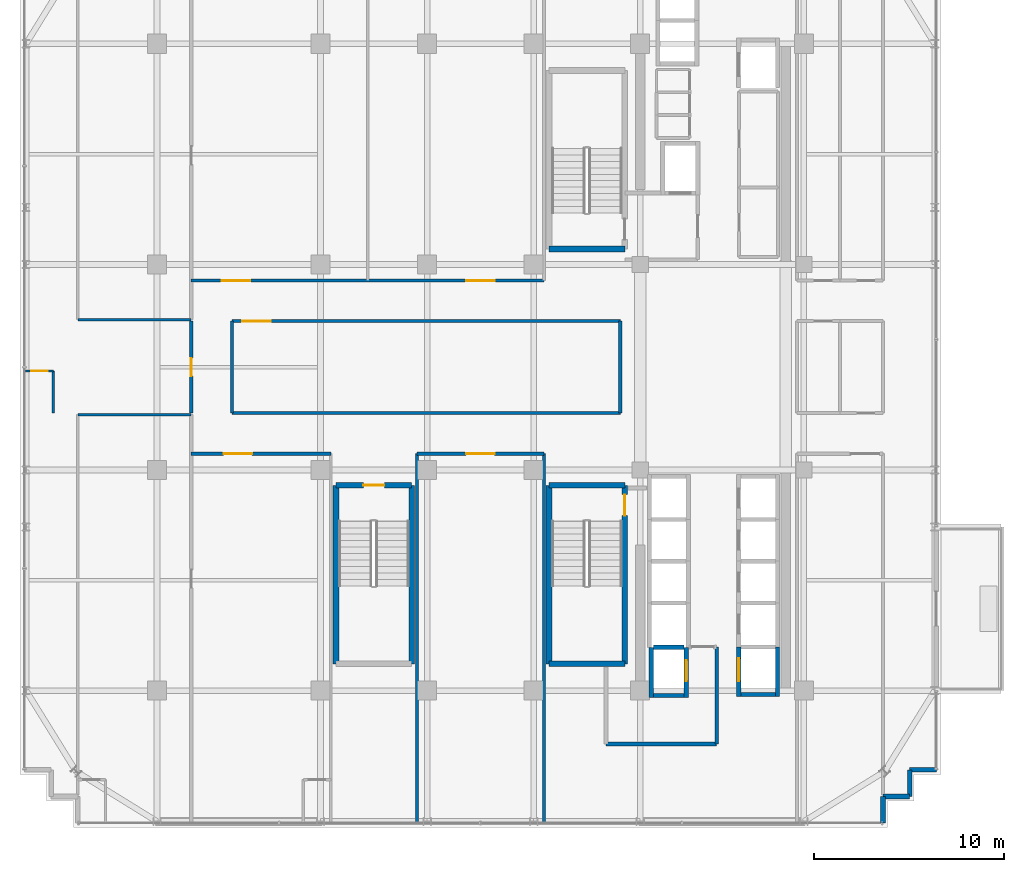
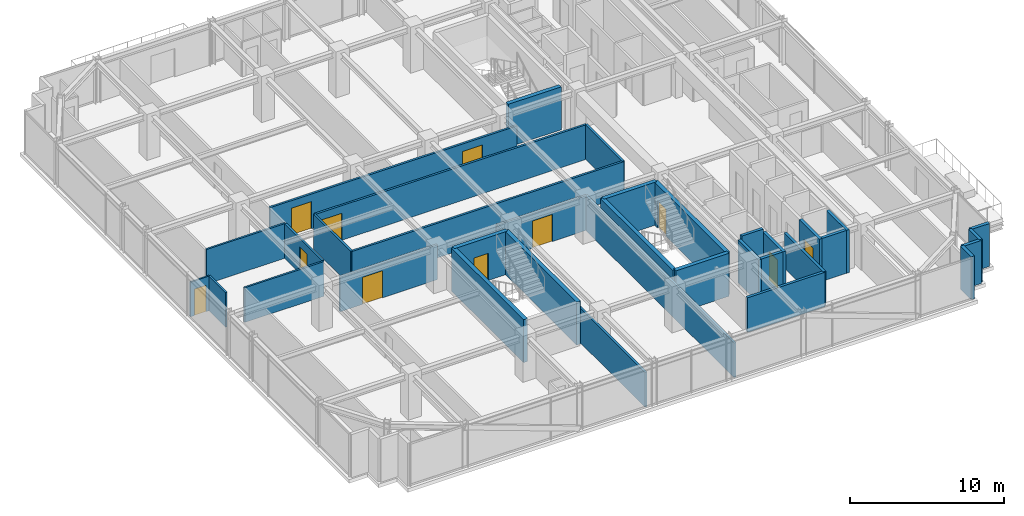
# One storey, part 30 of 36: 35 walls, 11 doors, 11 openings.
"""IFC4 building model written with IfcOpenShell, lengths in metres."""

from ifc_helpers import new_model, si_unit, direction, frame, frame_2d, origin, place, context, subcontext, project, spatial, rectangle, extrude, source, transform, mapped, material, layer, layer_set, type_object, element, fill, save


model = new_model("IFC4")

# Units and contexts
model_context = context("Model", 3, precision=1e-05, world=origin(), true_north=direction((0.0, 1.0)))
body_context = subcontext(model_context, "Body", "Model", "MODEL_VIEW")
ifc_project = project(units=[si_unit("LENGTHUNIT", "METRE"), si_unit("AREAUNIT", "SQUARE_METRE"), si_unit("VOLUMEUNIT", "CUBIC_METRE"), si_unit("PLANEANGLEUNIT", "RADIAN"), si_unit("MASSUNIT", "GRAM", prefix="KILO")], contexts=[model_context])

# Site, building, storey
site_placement = place(None, origin())
site = spatial("IfcSite", under=ifc_project, at=site_placement, CompositionType="ELEMENT")
building_placement = place(site_placement, origin())
building = spatial("IfcBuilding", under=site, at=building_placement, Name="Nahalor Promenade Grand Hotel", CompositionType="ELEMENT")
storey_placement = place(building_placement, frame((0.0, 0.0, 234.5)))
storey = spatial("IfcBuildingStorey", under=building, at=storey_placement, Name="L60", CompositionType="ELEMENT", Elevation=234.5)

# Walls
ifc_material_1 = material(Name="Concrete B-50 (C40/50)", Category="concrete")
ifc_layer_1 = layer(ifc_material_1, 0.300048828125)
ifc_layer_set_1 = layer_set([ifc_layer_1], Name="Concrete B-50 (C40/50)")
wall_type_1 = type_object("IfcWallType", Name="Wall-ShaftShear-300", PredefinedType="SHEAR", material=ifc_layer_set_1)
shared_shape_1 = source(origin(), body_context, "Body", "SweptSolid", [
    extrude(rectangle(XDim=3.97998046875, YDim=0.300048828125, at=frame_2d((1.989990234375, 0.0))), origin(), (0.0, 0.0, 1.0), 3.409912109375),
])
for number, where, z_axis, x_axis, name in (
    (1, (3.610107421875, 6.2099609375, 0.0), (0.0, 0.0, 1.0), (1.0, 0.0, 0.0), "L60 Exit Stair ST1 Shaft Wall S"),
    (2, (3.610107421875, -15.590087890625, 0.0), (0.0, 0.0, 1.0), (1.0, 0.0, 0.0), "L60 Exit Stair ST2 Shaft Wall S"),
    (3, (3.610107421875, -6.2099609375, 0.0), (0.0, 0.0, 1.0), (1.0, 0.0, 0.0), "L60 Exit Stair ST2 Shaft Wall N"),
):
    element("IfcWall", number, at=place(storey_placement, frame(where, z_axis=z_axis, x_axis=x_axis)), inside=storey, type_object=wall_type_1, Name=name, PredefinedType="SHEAR", context=body_context, shape_type="MappedRepresentation", body=[
        mapped(shared_shape_1, transform((0.0, 0.0, 0.0), scale=1.0)),
    ])

# Wall, opening, door
wall_1_placement = place(storey_placement, frame((-7.590087890625, -6.2099609375, 0.0), z_axis=(0.0, 0.0, 1.0), x_axis=(1.0, 0.0, 0.0)))
wall_1 = element("IfcWall", 4, at=wall_1_placement, inside=storey, type_object=wall_type_1, Name="L60 Exit Stair ST3 Shaft Wall N", PredefinedType="SHEAR", context=body_context, shape_type="MappedRepresentation", body=[
    mapped(shared_shape_1, transform((0.0, 0.0, 0.0), scale=1.0)),
])
opening_1_placement = place(wall_1_placement, frame((1.43994140625, 0.0, 0.0)))
opening_1 = element("IfcOpeningElement", 5, at=opening_1_placement, cuts=wall_1, Name="Opening D-ST1", PredefinedType="OPENING", context=body_context, shape_type="SweptSolid", body=[
    extrude(rectangle(XDim=1.10009765625, YDim=2.14990234375, at=frame_2d((0.550048828125, 1.074951171875))), frame((0.0, 0.159912109375, 0.0), z_axis=(0.0, -1.0, 0.0), x_axis=(1.0, 0.0, 0.0)), (0.0, 0.0, 1.0), 0.320068359375),
])
ifc_material_2 = material(Name="Steel S355JR", Category="steel")
door_type_1 = type_object("IfcDoorType", Name="Door-StairFire-1100", OperationType="NOTDEFINED", PredefinedType="DOOR", material=ifc_material_2)
shared_shape_2 = source(origin(), body_context, "Body", "SweptSolid", [
    extrude(rectangle(XDim=1.10009765625, YDim=2.14990234375, at=frame_2d((0.550048828125, 1.074951171875))), frame((0.0, 0.02490234375, 0.0), z_axis=(0.0, -1.0, 0.0), x_axis=(1.0, 0.0, 0.0)), (0.0, 0.0, 1.0), 0.050048828125),
])
door_1_placement = place(opening_1_placement, frame((1.10009765625, 0.0, 0.0), z_axis=(0.0, 0.0, 1.0), x_axis=(-1.0, 0.0, 0.0)))
door_1 = element("IfcDoor", 6, at=door_1_placement, inside=storey, type_object=door_type_1, Name="DR-STAIR-ST3-L60", OperationType="SINGLE_SWING_LEFT", OverallHeight=2.14990234375, OverallWidth=1.10009765625, PredefinedType="DOOR", context=body_context, shape_type="MappedRepresentation", body=[
    mapped(shared_shape_2, transform((0.0, 0.0, 0.0), scale=1.0)),
])
fill(opening_1, door_1)

# Wall
shared_shape_3 = source(origin(), body_context, "Body", "SweptSolid", [
    extrude(rectangle(XDim=9.380126953125, YDim=0.300048828125, at=frame_2d((4.68994140625, 0.0))), origin(), (0.0, 0.0, 1.0), 3.409912109375),
])
wall_2_placement = place(storey_placement, frame((3.610107421875, -15.590087890625, 0.0), z_axis=(0.0, 0.0, 1.0), x_axis=(0.0, 1.0, 0.0)))
element("IfcWall", 7, at=wall_2_placement, inside=storey, type_object=wall_type_1, Name="L60 Exit Stair ST2 Shaft Wall W", PredefinedType="SHEAR", context=body_context, shape_type="MappedRepresentation", body=[
    mapped(shared_shape_3, transform((0.0, 0.0, 0.0), scale=1.0)),
])

# Wall, opening, door
wall_3_placement = place(storey_placement, frame((7.590087890625, -15.590087890625, 0.0), z_axis=(0.0, 0.0, 1.0), x_axis=(0.0, 1.0, 0.0)))
wall_3 = element("IfcWall", 8, at=wall_3_placement, inside=storey, type_object=wall_type_1, Name="L60 Exit Stair ST2 Shaft Wall E", PredefinedType="SHEAR", context=body_context, shape_type="MappedRepresentation", body=[
    mapped(shared_shape_3, transform((0.0, 0.0, 0.0), scale=1.0)),
])
opening_2_placement = place(wall_3_placement, frame((7.7900390625, 0.0, 0.0)))
opening_2 = element("IfcOpeningElement", 9, at=opening_2_placement, cuts=wall_3, Name="Opening D-ST1", PredefinedType="OPENING", context=body_context, shape_type="SweptSolid", body=[
    extrude(rectangle(XDim=1.10009765625, YDim=2.14990234375, at=frame_2d((0.550048828125, 1.074951171875))), frame((0.0, 0.159912109375, 0.0), z_axis=(0.0, -1.0, 0.0), x_axis=(1.0, 0.0, 0.0)), (0.0, 0.0, 1.0), 0.320068359375),
])
door_2_placement = place(opening_2_placement, origin())
door_2 = element("IfcDoor", 10, at=door_2_placement, inside=storey, type_object=door_type_1, Name="DR-STAIR-ST2-L60", OperationType="SINGLE_SWING_LEFT", OverallHeight=2.14990234375, OverallWidth=1.10009765625, PredefinedType="DOOR", context=body_context, shape_type="MappedRepresentation", body=[
    mapped(shared_shape_2, transform((0.0, 0.0, 0.0), scale=1.0)),
])
fill(opening_2, door_2)

# Walls
for number, where, z_axis, x_axis, name in (
    (11, (-7.590087890625, -15.590087890625, 0.0), (0.0, 0.0, 1.0), (0.0, 1.0, 0.0), "L60 Exit Stair ST3 Shaft Wall W"),
    (12, (-3.610107421875, -15.590087890625, 0.0), (0.0, 0.0, 1.0), (0.0, 1.0, 0.0), "L60 Exit Stair ST3 Shaft Wall E"),
):
    element("IfcWall", number, at=place(storey_placement, frame(where, z_axis=z_axis, x_axis=x_axis)), inside=storey, type_object=wall_type_1, Name=name, PredefinedType="SHEAR", context=body_context, shape_type="MappedRepresentation", body=[
        mapped(shared_shape_3, transform((0.0, 0.0, 0.0), scale=1.0)),
    ])
ifc_layer_2 = layer(ifc_material_1, 0.219970703125)
ifc_layer_set_2 = layer_set([ifc_layer_2], Name="Concrete B-50 (C40/50)")
wall_type_2 = type_object("IfcWallType", Name="Wall-LiftShaft-220", PredefinedType="SHEAR", material=ifc_layer_set_2)
shared_shape_4 = source(origin(), body_context, "Body", "SweptSolid", [
    extrude(rectangle(XDim=1.820068359375, YDim=0.219970703125, at=frame_2d((0.91015625, 0.0))), origin(), (0.0, 0.0, 1.0), 3.409912109375),
])
wall_4_placement = place(storey_placement, frame((13.68994140625, -17.199951171875, 0.0), z_axis=(0.0, 0.0, 1.0), x_axis=(1.0, 0.0, 0.0)))
element("IfcWall", 13, at=wall_4_placement, inside=storey, type_object=wall_type_2, Name="L60 Lift SV2 Hoistway Wall S", PredefinedType="SHEAR", context=body_context, shape_type="MappedRepresentation", body=[
    mapped(shared_shape_4, transform((0.0, 0.0, 0.0), scale=1.0)),
])
shared_shape_5 = source(origin(), body_context, "Body", "SweptSolid", [
    extrude(rectangle(XDim=2.635009765625, YDim=0.219970703125, at=frame_2d((1.3173828125, 0.0))), origin(), (0.0, 0.0, 1.0), 3.409912109375),
])
wall_5_placement = place(storey_placement, frame((8.97998046875, -17.360107421875, 0.0), z_axis=(0.0, 0.0, 1.0), x_axis=(0.0, 1.0, 0.0)))
element("IfcWall", 14, at=wall_5_placement, inside=storey, type_object=wall_type_2, Name="L60 Lift FL2 Hoistway Wall W", PredefinedType="SHEAR", context=body_context, shape_type="MappedRepresentation", body=[
    mapped(shared_shape_5, transform((0.0, 0.0, 0.0), scale=1.0)),
])

# Wall, opening, door
wall_6_placement = place(storey_placement, frame((10.820068359375, -17.360107421875, 0.0), z_axis=(0.0, 0.0, 1.0), x_axis=(0.0, 1.0, 0.0)))
wall_6 = element("IfcWall", 15, at=wall_6_placement, inside=storey, type_object=wall_type_2, Name="L60 Lift FL2 Hoistway Wall E", PredefinedType="SHEAR", context=body_context, shape_type="MappedRepresentation", body=[
    mapped(shared_shape_5, transform((0.0, 0.0, 0.0), scale=1.0)),
])
opening_3_placement = place(wall_6_placement, frame((0.860107421875, 0.0, 0.0)))
opening_3 = element("IfcOpeningElement", 16, at=opening_3_placement, cuts=wall_6, Name="Opening LD-02", PredefinedType="OPENING", context=body_context, shape_type="SweptSolid", body=[
    extrude(rectangle(XDim=1.10009765625, YDim=2.199951171875, at=frame_2d((0.550048828125, 1.10009765625))), frame((0.0, 0.119873046875, 0.0), z_axis=(0.0, -1.0, 0.0), x_axis=(1.0, 0.0, 0.0)), (0.0, 0.0, 1.0), 0.239990234375),
])
door_type_2 = type_object("IfcDoorType", Name="Door-LiftFF-1100", OperationType="DOUBLE_DOOR_SLIDING", PredefinedType="DOOR", material=ifc_material_2)
shared_shape_6 = source(origin(), body_context, "Body", "SweptSolid", [
    extrude(rectangle(XDim=1.10009765625, YDim=2.199951171875, at=frame_2d((0.550048828125, 1.10009765625))), frame((0.0, 0.02490234375, 0.0), z_axis=(0.0, -1.0, 0.0), x_axis=(1.0, 0.0, 0.0)), (0.0, 0.0, 1.0), 0.050048828125),
])
door_3_placement = place(opening_3_placement, frame((1.10009765625, 0.0, 0.0), z_axis=(0.0, 0.0, 1.0), x_axis=(-1.0, 0.0, 0.0)))
door_3 = element("IfcDoor", 17, at=door_3_placement, inside=storey, type_object=door_type_2, Name="DR-LIFT-FL2-L60", OperationType="DOUBLE_DOOR_SLIDING", OverallHeight=2.199951171875, OverallWidth=1.10009765625, PredefinedType="DOOR", context=body_context, shape_type="MappedRepresentation", body=[
    mapped(shared_shape_6, transform((0.0, 0.0, 0.0), scale=1.0)),
])
fill(opening_3, door_3)

# Walls
shared_shape_7 = source(origin(), body_context, "Body", "SweptSolid", [
    extrude(rectangle(XDim=1.619873046875, YDim=0.219970703125, at=frame_2d((0.81005859375, 0.0))), origin(), (0.0, 0.0, 1.0), 3.409912109375),
])
wall_7_placement = place(storey_placement, frame((9.090087890625, -17.25, 0.0), z_axis=(0.0, 0.0, 1.0), x_axis=(1.0, 0.0, 0.0)))
element("IfcWall", 18, at=wall_7_placement, inside=storey, type_object=wall_type_2, Name="L60 Lift FL2 Hoistway Wall S", PredefinedType="SHEAR", context=body_context, shape_type="MappedRepresentation", body=[
    mapped(shared_shape_7, transform((0.0, 0.0, 0.0), scale=1.0)),
])
shared_shape_8 = source(origin(), body_context, "Body", "SweptSolid", [
    extrude(rectangle(XDim=1.619873046875, YDim=0.219970703125, at=frame_2d((0.81005859375, 0.0))), origin(), (0.0, 0.0, 1.0), 3.699951171875),
])
wall_8_placement = place(storey_placement, frame((9.090087890625, -14.72509765625, 0.0), z_axis=(0.0, 0.0, 1.0), x_axis=(1.0, 0.0, 0.0)))
element("IfcWall", 19, at=wall_8_placement, inside=storey, type_object=wall_type_2, Name="L60 Lift FL2 Hoistway Wall N", PredefinedType="SHEAR", context=body_context, shape_type="MappedRepresentation", body=[
    mapped(shared_shape_8, transform((0.0, 0.0, 0.0), scale=1.0)),
])

# Wall, opening, door
shared_shape_9 = source(origin(), body_context, "Body", "SweptSolid", [
    extrude(rectangle(XDim=2.610107421875, YDim=0.219970703125, at=frame_2d((1.30517578125, 0.0))), origin(), (0.0, 0.0, 1.0), 3.409912109375),
])
wall_9_placement = place(storey_placement, frame((13.580078125, -17.31005859375, 0.0), z_axis=(0.0, 0.0, 1.0), x_axis=(0.0, 1.0, 0.0)))
wall_9 = element("IfcWall", 20, at=wall_9_placement, inside=storey, type_object=wall_type_2, Name="L60 Lift SV2 Hoistway Wall W", PredefinedType="SHEAR", context=body_context, shape_type="MappedRepresentation", body=[
    mapped(shared_shape_9, transform((0.0, 0.0, 0.0), scale=1.0)),
])
opening_4_placement = place(wall_9_placement, frame((0.81005859375, 0.0, 0.0)))
opening_4 = element("IfcOpeningElement", 21, at=opening_4_placement, cuts=wall_9, Name="Opening LD-03", PredefinedType="OPENING", context=body_context, shape_type="SweptSolid", body=[
    extrude(rectangle(XDim=1.199951171875, YDim=2.199951171875, at=frame_2d((0.60009765625, 1.10009765625))), frame((0.0, 0.119873046875, 0.0), z_axis=(0.0, -1.0, 0.0), x_axis=(1.0, 0.0, 0.0)), (0.0, 0.0, 1.0), 0.239990234375),
])
door_type_3 = type_object("IfcDoorType", Name="Door-LiftService-1200", OperationType="DOUBLE_DOOR_SLIDING", PredefinedType="DOOR", material=ifc_material_2)
shared_shape_10 = source(origin(), body_context, "Body", "SweptSolid", [
    extrude(rectangle(XDim=1.199951171875, YDim=2.199951171875, at=frame_2d((0.60009765625, 1.10009765625))), frame((0.0, 0.02490234375, 0.0), z_axis=(0.0, -1.0, 0.0), x_axis=(1.0, 0.0, 0.0)), (0.0, 0.0, 1.0), 0.050048828125),
])
door_4_placement = place(opening_4_placement, origin())
door_4 = element("IfcDoor", 22, at=door_4_placement, inside=storey, type_object=door_type_3, Name="DR-LIFT-SV2-L60", OperationType="DOUBLE_DOOR_SLIDING", OverallHeight=2.199951171875, OverallWidth=1.199951171875, PredefinedType="DOOR", context=body_context, shape_type="MappedRepresentation", body=[
    mapped(shared_shape_10, transform((0.0, 0.0, 0.0), scale=1.0)),
])
fill(opening_4, door_4)

# Walls
wall_10_placement = place(storey_placement, frame((15.6201171875, -17.31005859375, 0.0), z_axis=(0.0, 0.0, 1.0), x_axis=(0.0, 1.0, 0.0)))
element("IfcWall", 23, at=wall_10_placement, inside=storey, type_object=wall_type_2, Name="L60 Lift SV2 Hoistway Wall E", PredefinedType="SHEAR", context=body_context, shape_type="MappedRepresentation", body=[
    mapped(shared_shape_9, transform((0.0, 0.0, 0.0), scale=1.0)),
])
ifc_material_3 = material(Name="Concrete B-40 (C32/40)", Category="concrete")
ifc_layer_3 = layer(ifc_material_3, 0.25)
ifc_layer_set_3 = layer_set([ifc_layer_3], Name="Concrete B-40 (C32/40)")
wall_type_3 = type_object("IfcWallType", Name="Wall-BronzePier-250", PredefinedType="STANDARD", material=ifc_layer_set_3)
shared_shape_11 = source(origin(), body_context, "Body", "SweptSolid", [
    extrude(rectangle(XDim=1.39990234375, YDim=0.25, at=frame_2d((0.699951171875, 0.0))), origin(), (0.0, 0.0, 1.0), 3.409912109375),
])
for number, where, z_axis, x_axis, name in (
    (24, (21.159912109375, -23.9599609375, 0.0), (0.0, 0.0, 1.0), (0.0, 1.0, 0.0), "W-L60-SR-01"),
    (25, (22.56005859375, -21.159912109375, 0.0), (0.0, 0.0, 1.0), (1.0, 0.0, 0.0), "W-L60-SR-04"),
):
    element("IfcWall", number, at=place(storey_placement, frame(where, z_axis=z_axis, x_axis=x_axis)), inside=storey, type_object=wall_type_3, Name=name, PredefinedType="STANDARD", context=body_context, shape_type="MappedRepresentation", body=[
        mapped(shared_shape_11, transform((0.0, 0.0, 0.0), scale=1.0)),
    ])
shared_shape_12 = source(origin(), body_context, "Body", "SweptSolid", [
    extrude(rectangle(XDim=1.400146484375, YDim=0.25, at=frame_2d((0.7001953125, 0.0))), origin(), (0.0, 0.0, 1.0), 3.409912109375),
])
for number, where, z_axis, x_axis, name in (
    (26, (21.159912109375, -22.56005859375, 0.0), (0.0, 0.0, 1.0), (1.0, 0.0, 0.0), "W-L60-SR-02"),
    (27, (22.56005859375, -22.56005859375, 0.0), (0.0, 0.0, 1.0), (0.0, 1.0, 0.0), "W-L60-SR-03"),
):
    element("IfcWall", number, at=place(storey_placement, frame(where, z_axis=z_axis, x_axis=x_axis)), inside=storey, type_object=wall_type_3, Name=name, PredefinedType="STANDARD", context=body_context, shape_type="MappedRepresentation", body=[
        mapped(shared_shape_12, transform((0.0, 0.0, 0.0), scale=1.0)),
    ])
ifc_layer_4 = layer(ifc_material_3, 0.199951171875)
ifc_layer_set_4 = layer_set([ifc_layer_4], Name="Concrete B-40 (C32/40)")
wall_type_4 = type_object("IfcWallType", Name="Wall-PartFire-200", PredefinedType="PARTITIONING", material=ifc_layer_set_4)
shared_shape_13 = source(origin(), body_context, "Body", "SweptSolid", [
    extrude(rectangle(XDim=5.81982421875, YDim=0.199951171875, at=frame_2d((2.909912109375, 0.0))), origin(), (0.0, 0.0, 1.0), 2.75),
])
wall_11_placement = place(storey_placement, frame((6.60009765625, -19.800048828125, 0.0), z_axis=(0.0, 0.0, 1.0), x_axis=(1.0, 0.0, 0.0)))
element("IfcWall", 28, at=wall_11_placement, inside=storey, type_object=wall_type_4, Name="W-L60-FF2-S1", PredefinedType="PARTITIONING", context=body_context, shape_type="MappedRepresentation", body=[
    mapped(shared_shape_13, transform((0.0, 0.0, 0.0), scale=1.0)),
])
shared_shape_14 = source(origin(), body_context, "Body", "SweptSolid", [
    extrude(rectangle(XDim=5.10009765625, YDim=0.199951171875, at=frame_2d((2.550048828125, 0.0))), origin(), (0.0, 0.0, 1.0), 2.75),
])
wall_12_placement = place(storey_placement, frame((12.419921875, -19.800048828125, 0.0), z_axis=(0.0, 0.0, 1.0), x_axis=(0.0, 1.0, 0.0)))
element("IfcWall", 29, at=wall_12_placement, inside=storey, type_object=wall_type_4, Name="W-L60-FF2-E", PredefinedType="PARTITIONING", context=body_context, shape_type="MappedRepresentation", body=[
    mapped(shared_shape_14, transform((0.0, 0.0, 0.0), scale=1.0)),
])
ifc_material_4 = material(Name="Acoustic Mineral Gypsum", Category="gypsum")
ifc_layer_5 = layer(ifc_material_4, 0.159912109375)
ifc_layer_set_5 = layer_set([ifc_layer_5], Name="Acoustic Mineral Gypsum")
wall_type_5 = type_object("IfcWallType", Name="Wall-PartCorridor-160", PredefinedType="PARTITIONING", material=ifc_layer_set_5)
shared_shape_15 = source(origin(), body_context, "Body", "SweptSolid", [
    extrude(rectangle(XDim=19.349853515625, YDim=0.159912109375, at=frame_2d((9.6748046875, 0.0))), origin(), (0.0, 0.0, 1.0), 2.75),
])
for number, where, z_axis, x_axis, name in (
    (30, (-3.340087890625, -23.89990234375, 0.0), (0.0, 0.0, 1.0), (0.0, 1.0, 0.0), "W-L60-SCB-W"),
    (31, (3.340087890625, -23.89990234375, 0.0), (0.0, 0.0, 1.0), (0.0, 1.0, 0.0), "W-L60-SCB-E"),
):
    element("IfcWall", number, at=place(storey_placement, frame(where, z_axis=z_axis, x_axis=x_axis)), inside=storey, type_object=wall_type_5, Name=name, PredefinedType="PARTITIONING", context=body_context, shape_type="MappedRepresentation", body=[
        mapped(shared_shape_15, transform((0.0, 0.0, 0.0), scale=1.0)),
    ])
ifc_layer_6 = layer(ifc_material_4, 0.139892578125)
ifc_layer_set_6 = layer_set([ifc_layer_6], Name="Acoustic Mineral Gypsum")
wall_type_6 = type_object("IfcWallType", Name="Wall-PartSuite-140", PredefinedType="PARTITIONING", material=ifc_layer_set_6)
shared_shape_16 = source(origin(), body_context, "Body", "SweptSolid", [
    extrude(rectangle(XDim=5.9599609375, YDim=0.139892578125, at=frame_2d((2.97998046875, 0.0))), origin(), (0.0, 0.0, 1.0), 2.75),
])
for number, where, z_axis, x_axis, name in (
    (32, (-21.159912109375, 2.5, 0.0), (0.0, 0.0, 1.0), (1.0, 0.0, 0.0), "W-L60-ZNW-S"),
    (33, (-21.159912109375, -2.5, 0.0), (0.0, 0.0, 1.0), (1.0, 0.0, 0.0), "W-L60-ZSW-N"),
):
    element("IfcWall", number, at=place(storey_placement, frame(where, z_axis=z_axis, x_axis=x_axis)), inside=storey, type_object=wall_type_6, Name=name, PredefinedType="PARTITIONING", context=body_context, shape_type="MappedRepresentation", body=[
        mapped(shared_shape_16, transform((0.0, 0.0, 0.0), scale=1.0)),
    ])

# Wall, opening, door
ifc_layer_7 = layer(ifc_material_4, 0.1201171875)
ifc_layer_set_7 = layer_set([ifc_layer_7], Name="Acoustic Mineral Gypsum")
wall_type_7 = type_object("IfcWallType", Name="Wall-PartBath-120", PredefinedType="PARTITIONING", material=ifc_layer_set_7)
shared_shape_17 = source(origin(), body_context, "Body", "SweptSolid", [
    extrude(rectangle(XDim=1.449951171875, YDim=0.1201171875, at=frame_2d((0.72509765625, 0.0))), origin(), (0.0, 0.0, 1.0), 2.75),
])
wall_13_placement = place(storey_placement, frame((-23.89990234375, -0.199951171875, 0.0), z_axis=(0.0, 0.0, 1.0), x_axis=(1.0, 0.0, 0.0)))
wall_13 = element("IfcWall", 34, at=wall_13_placement, inside=storey, type_object=wall_type_7, Name="W-L60-W1-BH", PredefinedType="PARTITIONING", context=body_context, shape_type="MappedRepresentation", body=[
    mapped(shared_shape_17, transform((0.0, 0.0, 0.0), scale=1.0)),
])
opening_5_placement = place(wall_13_placement, frame((0.284912109375, 0.0, 0.0)))
opening_5 = element("IfcOpeningElement", 35, at=opening_5_placement, cuts=wall_13, Name="Opening D-03", PredefinedType="OPENING", context=body_context, shape_type="SweptSolid", body=[
    extrude(rectangle(XDim=0.8798828125, YDim=2.10009765625, at=frame_2d((0.43994140625, 1.050048828125))), frame((0.0, 0.070068359375, 0.0), z_axis=(0.0, -1.0, 0.0), x_axis=(1.0, 0.0, 0.0)), (0.0, 0.0, 1.0), 0.14013671875),
])
ifc_material_5 = material(Name="Fire-Rated Timber Composite", Category="wood")
door_type_4 = type_object("IfcDoorType", Name="Door-BathSwing-880", OperationType="NOTDEFINED", PredefinedType="DOOR", material=ifc_material_5)
shared_shape_18 = source(origin(), body_context, "Body", "SweptSolid", [
    extrude(rectangle(XDim=0.8798828125, YDim=2.10009765625, at=frame_2d((0.43994140625, 1.050048828125))), frame((0.0, 0.02490234375, 0.0), z_axis=(0.0, -1.0, 0.0), x_axis=(1.0, 0.0, 0.0)), (0.0, 0.0, 1.0), 0.050048828125),
])
door_5_placement = place(opening_5_placement, frame((0.8798828125, 0.0, 0.0), z_axis=(0.0, 0.0, 1.0), x_axis=(-1.0, 0.0, 0.0)))
door_5 = element("IfcDoor", 36, at=door_5_placement, inside=storey, type_object=door_type_4, Name="DR-L60-W1-BATH", OperationType="SINGLE_SWING_RIGHT", OverallHeight=2.10009765625, OverallWidth=0.8798828125, PredefinedType="DOOR", context=body_context, shape_type="MappedRepresentation", body=[
    mapped(shared_shape_18, transform((0.0, 0.0, 0.0), scale=1.0)),
])
fill(opening_5, door_5)

# Wall
shared_shape_19 = source(origin(), body_context, "Body", "SweptSolid", [
    extrude(rectangle(XDim=2.219970703125, YDim=0.1201171875, at=frame_2d((1.10986328125, 0.0))), origin(), (0.0, 0.0, 1.0), 2.75),
])
wall_14_placement = place(storey_placement, frame((-22.449951171875, -2.419921875, 0.0), z_axis=(0.0, 0.0, 1.0), x_axis=(0.0, 1.0, 0.0)))
element("IfcWall", 37, at=wall_14_placement, inside=storey, type_object=wall_type_7, Name="W-L60-W1-BV", PredefinedType="PARTITIONING", context=body_context, shape_type="MappedRepresentation", body=[
    mapped(shared_shape_19, transform((0.0, 0.0, 0.0), scale=1.0)),
])

# Wall, openings, doors
shared_shape_20 = source(origin(), body_context, "Body", "SweptSolid", [
    extrude(rectangle(XDim=18.5400390625, YDim=0.159912109375, at=frame_2d((9.27001953125, 0.0))), origin(), (0.0, 0.0, 1.0), 2.75),
])
wall_15_placement = place(storey_placement, frame((-15.199951171875, 4.550048828125, 0.0), z_axis=(0.0, 0.0, 1.0), x_axis=(1.0, 0.0, 0.0)))
wall_15 = element("IfcWall", 38, at=wall_15_placement, inside=storey, type_object=wall_type_5, Name="W-L60-CORR-N", PredefinedType="PARTITIONING", context=body_context, shape_type="MappedRepresentation", body=[
    mapped(shared_shape_20, transform((0.0, 0.0, 0.0), scale=1.0)),
])
opening_6_placement = place(wall_15_placement, frame((1.59912109375, 0.0, 0.0)))
opening_6 = element("IfcOpeningElement", 39, at=opening_6_placement, cuts=wall_15, Name="Opening D-02", PredefinedType="OPENING", context=body_context, shape_type="SweptSolid", body=[
    extrude(rectangle(XDim=1.5, YDim=2.14990234375, at=frame_2d((0.75, 1.074951171875))), frame((0.0, 0.08984375, 0.0), z_axis=(0.0, -1.0, 0.0), x_axis=(1.0, 0.0, 0.0)), (0.0, 0.0, 1.0), 0.179931640625),
])
opening_7_placement = place(wall_15_placement, frame((14.4609375, 0.0, 0.0)))
opening_7 = element("IfcOpeningElement", 40, at=opening_7_placement, cuts=wall_15, Name="Opening D-02", PredefinedType="OPENING", context=body_context, shape_type="SweptSolid", body=[
    extrude(rectangle(XDim=1.5, YDim=2.14990234375, at=frame_2d((0.75, 1.074951171875))), frame((0.0, 0.08984375, 0.0), z_axis=(0.0, -1.0, 0.0), x_axis=(1.0, 0.0, 0.0)), (0.0, 0.0, 1.0), 0.179931640625),
])
door_type_5 = type_object("IfcDoorType", Name="Door-SuiteDouble-1500", OperationType="DOUBLE_DOOR_SINGLE_SWING", PredefinedType="DOOR", material=ifc_material_5)
shared_shape_21 = source(origin(), body_context, "Body", "SweptSolid", [
    extrude(rectangle(XDim=1.5, YDim=2.14990234375, at=frame_2d((0.75, 1.074951171875))), frame((0.0, 0.02490234375, 0.0), z_axis=(0.0, -1.0, 0.0), x_axis=(1.0, 0.0, 0.0)), (0.0, 0.0, 1.0), 0.050048828125),
])
door_6_placement = place(opening_6_placement, origin())
door_6 = element("IfcDoor", 41, at=door_6_placement, inside=storey, type_object=door_type_5, Name="DR-L60-N1-ENT", OperationType="DOUBLE_DOOR_SINGLE_SWING", OverallHeight=2.14990234375, OverallWidth=1.5, PredefinedType="DOOR", context=body_context, shape_type="MappedRepresentation", body=[
    mapped(shared_shape_21, transform((0.0, 0.0, 0.0), scale=1.0)),
])
fill(opening_6, door_6)
door_7_placement = place(opening_7_placement, origin())
door_7 = element("IfcDoor", 42, at=door_7_placement, inside=storey, type_object=door_type_5, Name="DR-L60-N2-ENT", OperationType="DOUBLE_DOOR_SINGLE_SWING", OverallHeight=2.14990234375, OverallWidth=1.5, PredefinedType="DOOR", context=body_context, shape_type="MappedRepresentation", body=[
    mapped(shared_shape_21, transform((0.0, 0.0, 0.0), scale=1.0)),
])
fill(opening_7, door_7)

# Wall, opening, door
shared_shape_22 = source(origin(), body_context, "Body", "SweptSolid", [
    extrude(rectangle(XDim=7.33984375, YDim=0.159912109375, at=frame_2d((3.669921875, 0.0))), origin(), (0.0, 0.0, 1.0), 2.75),
])
wall_16_placement = place(storey_placement, frame((-15.199951171875, -4.550048828125, 0.0), z_axis=(0.0, 0.0, 1.0), x_axis=(1.0, 0.0, 0.0)))
wall_16 = element("IfcWall", 43, at=wall_16_placement, inside=storey, type_object=wall_type_5, Name="W-L60-CORR-S", PredefinedType="PARTITIONING", context=body_context, shape_type="MappedRepresentation", body=[
    mapped(shared_shape_22, transform((0.0, 0.0, 0.0), scale=1.0)),
])
opening_8_placement = place(wall_16_placement, frame((1.70703125, 0.0, 0.0)))
opening_8 = element("IfcOpeningElement", 44, at=opening_8_placement, cuts=wall_16, Name="Opening D-02", PredefinedType="OPENING", context=body_context, shape_type="SweptSolid", body=[
    extrude(rectangle(XDim=1.5, YDim=2.14990234375, at=frame_2d((0.75, 1.074951171875))), frame((0.0, 0.08984375, 0.0), z_axis=(0.0, -1.0, 0.0), x_axis=(1.0, 0.0, 0.0)), (0.0, 0.0, 1.0), 0.179931640625),
])
door_8_placement = place(opening_8_placement, frame((1.5, 0.0, 0.0), z_axis=(0.0, 0.0, 1.0), x_axis=(-1.0, 0.0, 0.0)))
door_8 = element("IfcDoor", 45, at=door_8_placement, inside=storey, type_object=door_type_5, Name="DR-L60-S1-ENT", OperationType="DOUBLE_DOOR_SINGLE_SWING", OverallHeight=2.14990234375, OverallWidth=1.5, PredefinedType="DOOR", context=body_context, shape_type="MappedRepresentation", body=[
    mapped(shared_shape_21, transform((0.0, 0.0, 0.0), scale=1.0)),
])
fill(opening_8, door_8)

shared_shape_23 = source(origin(), body_context, "Body", "SweptSolid", [
    extrude(rectangle(XDim=4.83984375, YDim=0.159912109375, at=frame_2d((2.419921875, 0.0))), origin(), (0.0, 0.0, 1.0), 2.75),
])
wall_17_placement = place(storey_placement, frame((-15.199951171875, -2.419921875, 0.0), z_axis=(0.0, 0.0, 1.0), x_axis=(0.0, 1.0, 0.0)))
wall_17 = element("IfcWall", 46, at=wall_17_placement, inside=storey, type_object=wall_type_5, Name="W-L60-WEST-E", PredefinedType="PARTITIONING", context=body_context, shape_type="MappedRepresentation", body=[
    mapped(shared_shape_23, transform((0.0, 0.0, 0.0), scale=1.0)),
])
opening_9_placement = place(wall_17_placement, frame((1.945068359375, 0.0, 0.0)))
opening_9 = element("IfcOpeningElement", 47, at=opening_9_placement, cuts=wall_17, Name="Opening D-01", PredefinedType="OPENING", context=body_context, shape_type="SweptSolid", body=[
    extrude(rectangle(XDim=0.949951171875, YDim=2.10009765625, at=frame_2d((0.47509765625, 1.050048828125))), frame((0.0, 0.08984375, 0.0), z_axis=(0.0, -1.0, 0.0), x_axis=(1.0, 0.0, 0.0)), (0.0, 0.0, 1.0), 0.179931640625),
])
door_type_6 = type_object("IfcDoorType", Name="Door-GuestEntry-950", OperationType="NOTDEFINED", PredefinedType="DOOR", material=ifc_material_5)
shared_shape_24 = source(origin(), body_context, "Body", "SweptSolid", [
    extrude(rectangle(XDim=0.949951171875, YDim=2.10009765625, at=frame_2d((0.47509765625, 1.050048828125))), frame((0.0, 0.02490234375, 0.0), z_axis=(0.0, -1.0, 0.0), x_axis=(1.0, 0.0, 0.0)), (0.0, 0.0, 1.0), 0.050048828125),
])
door_9_placement = place(opening_9_placement, origin())
door_9 = element("IfcDoor", 48, at=door_9_placement, inside=storey, type_object=door_type_6, Name="DR-L60-W1-ENT", OperationType="SINGLE_SWING_LEFT", OverallHeight=2.10009765625, OverallWidth=0.949951171875, PredefinedType="DOOR", context=body_context, shape_type="MappedRepresentation", body=[
    mapped(shared_shape_24, transform((0.0, 0.0, 0.0), scale=1.0)),
])
fill(opening_9, door_9)

# Walls
for number, where, z_axis, x_axis, name in (
    (49, (-13.050048828125, -2.419921875, 0.0), (0.0, 0.0, 1.0), (0.0, 1.0, 0.0), "W-L60-CM1-W"),
    (50, (7.35009765625, -2.419921875, 0.0), (0.0, 0.0, 1.0), (0.0, 1.0, 0.0), "W-L60-CM1-E"),
):
    element("IfcWall", number, at=place(storey_placement, frame(where, z_axis=z_axis, x_axis=x_axis)), inside=storey, type_object=wall_type_5, Name=name, PredefinedType="PARTITIONING", context=body_context, shape_type="MappedRepresentation", body=[
        mapped(shared_shape_23, transform((0.0, 0.0, 0.0), scale=1.0)),
    ])

# Wall, opening, door
shared_shape_25 = source(origin(), body_context, "Body", "SweptSolid", [
    extrude(rectangle(XDim=6.68017578125, YDim=0.159912109375, at=frame_2d((3.340087890625, 0.0))), origin(), (0.0, 0.0, 1.0), 2.75),
])
wall_18_placement = place(storey_placement, frame((-3.340087890625, -4.550048828125, 0.0), z_axis=(0.0, 0.0, 1.0), x_axis=(1.0, 0.0, 0.0)))
wall_18 = element("IfcWall", 51, at=wall_18_placement, inside=storey, type_object=wall_type_5, Name="W-L60-SCB-N", PredefinedType="PARTITIONING", context=body_context, shape_type="MappedRepresentation", body=[
    mapped(shared_shape_25, transform((0.0, 0.0, 0.0), scale=1.0)),
])
opening_10_placement = place(wall_18_placement, frame((2.590087890625, 0.0, 0.0)))
opening_10 = element("IfcOpeningElement", 52, at=opening_10_placement, cuts=wall_18, Name="Opening D-02", PredefinedType="OPENING", context=body_context, shape_type="SweptSolid", body=[
    extrude(rectangle(XDim=1.5, YDim=2.14990234375, at=frame_2d((0.75, 1.074951171875))), frame((0.0, 0.08984375, 0.0), z_axis=(0.0, -1.0, 0.0), x_axis=(1.0, 0.0, 0.0)), (0.0, 0.0, 1.0), 0.179931640625),
])
door_10_placement = place(opening_10_placement, frame((1.5, 0.0, 0.0), z_axis=(0.0, 0.0, 1.0), x_axis=(-1.0, 0.0, 0.0)))
door_10 = element("IfcDoor", 53, at=door_10_placement, inside=storey, type_object=door_type_5, Name="DR-L60-SCB", OperationType="DOUBLE_DOOR_SINGLE_SWING", OverallHeight=2.14990234375, OverallWidth=1.5, PredefinedType="DOOR", context=body_context, shape_type="MappedRepresentation", body=[
    mapped(shared_shape_21, transform((0.0, 0.0, 0.0), scale=1.0)),
])
fill(opening_10, door_10)

# Wall
shared_shape_26 = source(origin(), body_context, "Body", "SweptSolid", [
    extrude(rectangle(XDim=20.400146484375, YDim=0.159912109375, at=frame_2d((10.2001953125, 0.0))), origin(), (0.0, 0.0, 1.0), 2.75),
])
wall_19_placement = place(storey_placement, frame((-13.050048828125, -2.419921875, 0.0), z_axis=(0.0, 0.0, 1.0), x_axis=(1.0, 0.0, 0.0)))
element("IfcWall", 54, at=wall_19_placement, inside=storey, type_object=wall_type_5, Name="W-L60-CM1-S", PredefinedType="PARTITIONING", context=body_context, shape_type="MappedRepresentation", body=[
    mapped(shared_shape_26, transform((0.0, 0.0, 0.0), scale=1.0)),
])

# Wall, opening, door
wall_20_placement = place(storey_placement, frame((-13.050048828125, 2.419921875, 0.0), z_axis=(0.0, 0.0, 1.0), x_axis=(1.0, 0.0, 0.0)))
wall_20 = element("IfcWall", 55, at=wall_20_placement, inside=storey, type_object=wall_type_5, Name="W-L60-CM1-N", PredefinedType="PARTITIONING", context=body_context, shape_type="MappedRepresentation", body=[
    mapped(shared_shape_26, transform((0.0, 0.0, 0.0), scale=1.0)),
])
opening_11_placement = place(wall_20_placement, frame((0.534912109375, 0.0, 0.0)))
opening_11 = element("IfcOpeningElement", 56, at=opening_11_placement, cuts=wall_20, Name="Opening D-02", PredefinedType="OPENING", context=body_context, shape_type="SweptSolid", body=[
    extrude(rectangle(XDim=1.5, YDim=2.14990234375, at=frame_2d((0.75, 1.074951171875))), frame((0.0, 0.08984375, 0.0), z_axis=(0.0, -1.0, 0.0), x_axis=(1.0, 0.0, 0.0)), (0.0, 0.0, 1.0), 0.179931640625),
])
door_11_placement = place(opening_11_placement, frame((1.5, 0.0, 0.0), z_axis=(0.0, 0.0, 1.0), x_axis=(-1.0, 0.0, 0.0)))
door_11 = element("IfcDoor", 57, at=door_11_placement, inside=storey, type_object=door_type_5, Name="DR-L60-CM1", OperationType="DOUBLE_DOOR_SINGLE_SWING", OverallHeight=2.14990234375, OverallWidth=1.5, PredefinedType="DOOR", context=body_context, shape_type="MappedRepresentation", body=[
    mapped(shared_shape_21, transform((0.0, 0.0, 0.0), scale=1.0)),
])
fill(opening_11, door_11)

save(model, "model.ifc")
